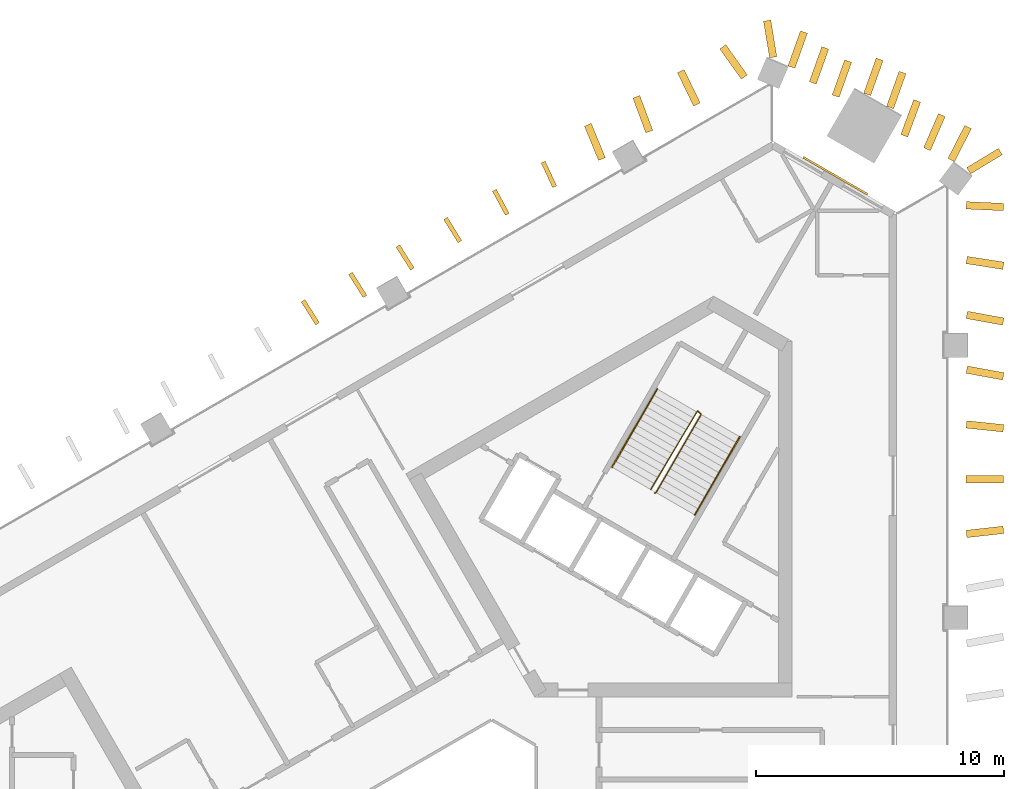
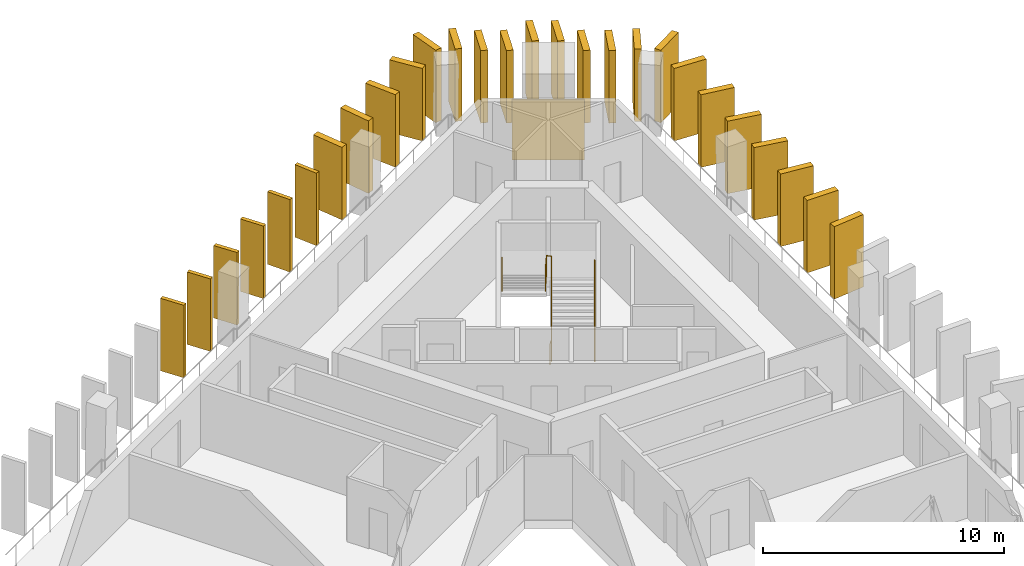
# One storey, part 10 of 10: 27 shading devices, 3 railings, 1 covering.
"""IFC4 building model written with IfcOpenShell, lengths in metres."""

from ifc_helpers import new_model, si_unit, direction, frame, frame_2d, origin, origin_2d, place, context, subcontext, project, spatial, rectangle, circle, extrude, material, layer, layer_set, type_object, element, save


model = new_model("IFC4")

# Units and contexts
model_context = context("Model", 3, precision=1e-05, world=origin(), true_north=direction((0.0, 1.0)))
body_context = subcontext(model_context, "Body", "Model", "MODEL_VIEW")
ifc_project = project(units=[si_unit("LENGTHUNIT", "METRE"), si_unit("AREAUNIT", "SQUARE_METRE"), si_unit("VOLUMEUNIT", "CUBIC_METRE"), si_unit("PLANEANGLEUNIT", "RADIAN"), si_unit("MASSUNIT", "GRAM", prefix="KILO")], contexts=[model_context])

# Site, building, storey
site_placement = place(None, origin())
site = spatial("IfcSite", under=ifc_project, at=site_placement, CompositionType="ELEMENT")
building_placement = place(site_placement, origin())
building = spatial("IfcBuilding", under=site, at=building_placement, Name="Jabali Bay Hotel Tower and Convention Centre", CompositionType="ELEMENT")
storey_placement = place(building_placement, frame((0.0, 0.0, 156.300048828125)))
storey = spatial("IfcBuildingStorey", under=building, at=storey_placement, Name="L37", CompositionType="ELEMENT", Elevation=156.300048828125)

# Shading devices
ifc_material_1 = material(Name="Precast concrete C60", Category="concrete")
ifc_layer_1 = layer(ifc_material_1, 0.179931640625)
ifc_layer_set_1 = layer_set([ifc_layer_1], Name="Precast concrete C60")
shading_device_type_1 = type_object("IfcShadingDeviceType", Name="Precast fin 3680 x 1100", PredefinedType="USERDEFINED", material=ifc_layer_set_1)
shading_device_1_placement = place(storey_placement, frame((80.30810546875, 108.36181640625, 0.010009765625), z_axis=(0.0, 0.0, 1.0), x_axis=(-0.421730749716, 0.906721111889, 0.0)))
element("IfcShadingDevice", 1, at=shading_device_1_placement, inside=storey, type_object=shading_device_type_1, Name="Fin L37 038", ObjectType="FIN", PredefinedType="USERDEFINED", context=body_context, shape_type="SweptSolid", body=[
    extrude(rectangle(XDim=1.099853515625, YDim=0.179931640625, at=frame_2d((0.5498046875, 0.0))), origin(), (0.0, 0.0, 1.0), 3.679931640625),
])
for number, where, z_axis, x_axis, name in (
    (2, (78.397705078125, 107.2529296875, 0.010009765625), (0.0, 0.0, 1.0), (-0.473821877124, 0.880620706524, 0.0), "Fin L37 039"),
    (3, (76.484619140625, 106.14794921875, 0.010009765625), (0.0, 0.0, 1.0), (-0.523701173986, 0.851902036836, 0.0), "Fin L37 040"),
):
    element("IfcShadingDevice", number, at=place(storey_placement, frame(where, z_axis=z_axis, x_axis=x_axis)), inside=storey, type_object=shading_device_type_1, Name=name, ObjectType="FIN", PredefinedType="USERDEFINED", context=body_context, shape_type="SweptSolid", body=[
        extrude(rectangle(XDim=1.10009765625, YDim=0.179931640625, at=frame_2d((0.550048828125, 0.0))), origin(), (0.0, 0.0, 1.0), 3.679931640625),
    ])
for number, where, z_axis, x_axis, name in (
    (4, (74.57080078125, 105.04443359375, 0.010009765625), (0.0, 0.0, 1.0), (-0.53336652604, 0.845884240839, 0.0), "Fin L37 041"),
    (5, (72.65771484375, 103.939697265625, 0.010009765625), (0.0, 0.0, 1.0), (-0.532271549044, 0.846573681423, 0.0), "Fin L37 042"),
    (6, (70.744384765625, 102.8349609375, 0.010009765625), (0.0, 0.0, 1.0), (-0.531594117785, 0.846999229006, 0.0), "Fin L37 043"),
):
    element("IfcShadingDevice", number, at=place(storey_placement, frame(where, z_axis=z_axis, x_axis=x_axis)), inside=storey, type_object=shading_device_type_1, Name=name, ObjectType="FIN", PredefinedType="USERDEFINED", context=body_context, shape_type="SweptSolid", body=[
        extrude(rectangle(XDim=1.099853515625, YDim=0.179931640625, at=frame_2d((0.5498046875, 0.0))), origin(), (0.0, 0.0, 1.0), 3.679931640625),
    ])
ifc_layer_2 = layer(ifc_material_1, 0.300048828125)
ifc_layer_set_2 = layer_set([ifc_layer_2], Name="Precast concrete C60")
shading_device_type_2 = type_object("IfcShadingDeviceType", Name="Precast fin 3680 x 1500", PredefinedType="USERDEFINED", material=ifc_layer_set_2)
for number, where, z_axis, x_axis, name in (
    (7, (96.916748046875, 94.359619140625, 0.010009765625), (0.0, 0.0, 1.0), (0.993784092283, 0.111324651019, 0.0), "Fin L37 019"),
    (8, (96.900634765625, 96.56884765625, 0.010009765625), (0.0, 0.0, 1.0), (0.999992993217, 0.003743463354, 0.0), "Fin L37 020"),
    (9, (96.915771484375, 98.778076171875, 0.010009765625), (0.0, 0.0, 1.0), (0.994457188873, -0.105142282162, 0.0), "Fin L37 021"),
    (10, (96.92724609375, 100.9873046875, 0.010009765625), (0.0, 0.0, 1.0), (0.98351646372, -0.180818598576, 0.0), "Fin L37 022"),
    (11, (96.92724609375, 103.1962890625, 0.010009765625), (0.0, 0.0, 1.0), (0.983545395653, -0.180661159883, 0.0), "Fin L37 023"),
    (12, (96.923095703125, 105.405517578125, 0.010009765625), (0.0, 0.0, 1.0), (0.988326493032, -0.152350724222, 0.0), "Fin L37 024"),
    (13, (96.9072265625, 107.61474609375, 0.010009765625), (0.0, 0.0, 1.0), (0.998900674942, -0.046876877038, 0.0), "Fin L37 025"),
    (14, (96.2998046875, 109.4375, 0.010009765625), (0.0, 0.0, 1.0), (0.455268788248, 0.890354047807, 0.0), "Fin L37 026"),
):
    element("IfcShadingDevice", number, at=place(storey_placement, frame(where, z_axis=z_axis, x_axis=x_axis)), inside=storey, type_object=shading_device_type_2, Name=name, ObjectType="FIN", PredefinedType="USERDEFINED", context=body_context, shape_type="SweptSolid", body=[
        extrude(rectangle(XDim=1.5, YDim=0.300048828125, at=frame_2d((0.75, 0.0))), origin(), (0.0, 0.0, 1.0), 3.679931640625),
    ])
shading_device_2_placement = place(storey_placement, frame((95.3251953125, 109.879150390625, 0.010009765625), z_axis=(0.0, 0.0, 1.0), x_axis=(0.398392838796, 0.917214885398, 0.0)))
element("IfcShadingDevice", 15, at=shading_device_2_placement, inside=storey, type_object=shading_device_type_2, Name="Fin L37 027", ObjectType="FIN", PredefinedType="USERDEFINED", context=body_context, shape_type="SweptSolid", body=[
    extrude(rectangle(XDim=1.500244140625, YDim=0.300048828125, at=frame_2d((0.75, 0.0))), origin(), (0.0, 0.0, 1.0), 3.679931640625),
])
for number, where, z_axis, x_axis, name in (
    (16, (94.406982421875, 110.4189453125, 0.010009765625), (0.0, 0.0, 1.0), (0.346678158395, 0.937984144051, 0.0), "Fin L37 028"),
    (17, (93.835205078125, 111.55859375, 0.010009765625), (0.0, 0.0, 1.0), (0.335305076677, 0.942109603791, 0.0), "Fin L37 029"),
):
    element("IfcShadingDevice", number, at=place(storey_placement, frame(where, z_axis=z_axis, x_axis=x_axis)), inside=storey, type_object=shading_device_type_2, Name=name, ObjectType="FIN", PredefinedType="USERDEFINED", context=body_context, shape_type="SweptSolid", body=[
        extrude(rectangle(XDim=1.5, YDim=0.300048828125, at=frame_2d((0.75, 0.0))), origin(), (0.0, 0.0, 1.0), 3.679931640625),
    ])
for number, where, z_axis, x_axis, name in (
    (18, (92.912841796875, 112.091064453125, 0.010009765625), (0.0, 0.0, 1.0), (0.335253666146, 0.94212789967, 0.0), "Fin L37 030"),
    (19, (91.640869140625, 112.017822265625, 0.010009765625), (0.0, 0.0, 1.0), (0.335253666146, 0.94212789967, 0.0), "Fin L37 031"),
):
    element("IfcShadingDevice", number, at=place(storey_placement, frame(where, z_axis=z_axis, x_axis=x_axis)), inside=storey, type_object=shading_device_type_2, Name=name, ObjectType="FIN", PredefinedType="USERDEFINED", context=body_context, shape_type="SweptSolid", body=[
        extrude(rectangle(XDim=1.500244140625, YDim=0.300048828125, at=frame_2d((0.75, 0.0))), origin(), (0.0, 0.0, 1.0), 3.679931640625),
    ])
for number, where, z_axis, x_axis, name in (
    (20, (90.718505859375, 112.550537109375, 0.010009765625), (0.0, 0.0, 1.0), (0.335305076677, 0.942109603791, 0.0), "Fin L37 032"),
    (21, (89.8583984375, 113.1904296875, 0.010009765625), (0.0, 0.0, 1.0), (0.335109201498, 0.942179294546, 0.0), "Fin L37 033"),
):
    element("IfcShadingDevice", number, at=place(storey_placement, frame(where, z_axis=z_axis, x_axis=x_axis)), inside=storey, type_object=shading_device_type_2, Name=name, ObjectType="FIN", PredefinedType="USERDEFINED", context=body_context, shape_type="SweptSolid", body=[
        extrude(rectangle(XDim=1.5, YDim=0.300048828125, at=frame_2d((0.75, 0.0))), origin(), (0.0, 0.0, 1.0), 3.679931640625),
    ])
shading_device_3_placement = place(storey_placement, frame((87.9580078125, 112.78564453125, 0.010009765625), z_axis=(0.0, 0.0, 1.0), x_axis=(-0.579682299442, 0.81484258094, 0.0)))
element("IfcShadingDevice", 22, at=shading_device_3_placement, inside=storey, type_object=shading_device_type_2, Name="Fin L37 034", ObjectType="FIN", PredefinedType="USERDEFINED", context=body_context, shape_type="SweptSolid", body=[
    extrude(rectangle(XDim=1.500244140625, YDim=0.300048828125, at=frame_2d((0.75, 0.0))), origin(), (0.0, 0.0, 1.0), 3.679931640625),
])
shading_device_4_placement = place(storey_placement, frame((86.04638671875, 111.67822265625, 0.010009765625), z_axis=(0.0, 0.0, 1.0), x_axis=(-0.436569023838, 0.899670766128, 0.0)))
element("IfcShadingDevice", 23, at=shading_device_4_placement, inside=storey, type_object=shading_device_type_2, Name="Fin L37 035", ObjectType="FIN", PredefinedType="USERDEFINED", context=body_context, shape_type="SweptSolid", body=[
    extrude(rectangle(XDim=1.499755859375, YDim=0.300048828125, at=frame_2d((0.75, 0.0))), origin(), (0.0, 0.0, 1.0), 3.679931640625),
])
for number, where, z_axis, x_axis, name in (
    (24, (84.126220703125, 110.585693359375, 0.010009765625), (0.0, 0.0, 1.0), (-0.350249315191, 0.936656509724, 0.0), "Fin L37 036"),
    (25, (82.21533203125, 109.47705078125, 0.010009765625), (0.0, 0.0, 1.0), (-0.379570645192, 0.925162756119, 0.0), "Fin L37 037"),
    (26, (97.00048828125, 109.00830078125, 0.010009765625), (0.0, 0.0, 1.0), (0.85661564092, 0.515955079179, 0.0), "Fin L37 103"),
    (27, (89.12158203125, 113.58349609375, 0.010009765625), (0.0, 0.0, 1.0), (-0.162762339709, 0.986665303318, 0.0), "Fin L37 104"),
):
    element("IfcShadingDevice", number, at=place(storey_placement, frame(where, z_axis=z_axis, x_axis=x_axis)), inside=storey, type_object=shading_device_type_2, Name=name, ObjectType="FIN", PredefinedType="USERDEFINED", context=body_context, shape_type="SweptSolid", body=[
        extrude(rectangle(XDim=1.5, YDim=0.300048828125, at=frame_2d((0.75, 0.0))), origin(), (0.0, 0.0, 1.0), 3.679931640625),
    ])

# Covering
ifc_material_2 = material(Name="Precast concrete C40/50", Category="concrete")
ifc_layer_3 = layer(ifc_material_2, 0.080078125)
ifc_layer_set_3 = layer_set([ifc_layer_3], Name="Precast concrete C40/50")
covering_type = type_object("IfcCoveringType", Name="Relief panel 3000 x 3050", PredefinedType="CLADDING", material=ifc_layer_set_3)
covering_placement = place(storey_placement, frame((91.630859375, 108.805419921875, 0.10009765625), z_axis=(0.0, 0.0, 1.0), x_axis=(0.866025333692, -0.500000121404, 0.0)))
element("IfcCovering", 28, at=covering_placement, inside=storey, type_object=covering_type, Name="Relief panel L37", PredefinedType="CLADDING", context=body_context, shape_type="SweptSolid", body=[
    extrude(rectangle(XDim=3.0, YDim=0.080078125, at=origin_2d()), origin(), (0.0, 0.0, 1.0), 3.050048828125),
])

# Railings
ifc_material_3 = material(Name="Steel Q355B", Category="steel")
railing_type_1 = type_object("IfcRailingType", Name="Stair guard 1100", PredefinedType="GUARDRAIL", material=ifc_material_3)
railing_1_placement = place(storey_placement, frame((84.329833984375, 96.010009765625, 0.0)))
element("IfcRailing", 29, at=railing_1_placement, inside=storey, type_object=railing_type_1, Name="L37 ST2 stair guard 1", PredefinedType="GUARDRAIL", context=body_context, shape_type="SweptSolid", body=[
    extrude(circle(Radius=0.02392578125, at=origin_2d()), frame((0.0, 0.0, 1.076171875), z_axis=(0.456201556387, 0.122196845461, 0.881446578591), x_axis=(-0.258736085224, 0.965948051503, 0.0)), (0.0, 0.0, 1.0), 0.14990234375),
    extrude(circle(Radius=0.02392578125, at=origin_2d()), frame((0.068359375, 0.018310546875, 1.2080078125), z_axis=(0.452190331055, 0.783190014029, 0.426775475427), x_axis=(-0.866018046521, 0.500012742938, 0.0)), (0.0, 0.0, 1.0), 4.02490234375),
    extrude(circle(Radius=0.02392578125, at=origin_2d()), frame((1.888427734375, 3.170654296875, 2.92578125), z_axis=(-0.718850276695, 0.695164929852, 0.0), x_axis=(-0.695164929852, -0.718850276695, 0.0)), (0.0, 0.0, 1.0), 0.2060546875),
    extrude(circle(Radius=0.02392578125, at=origin_2d()), frame((1.740234375, 3.31396484375, 2.92578125), z_axis=(-0.457445338502, -0.768046879266, 0.448160410493), x_axis=(0.859157857954, -0.511710636118, 0.0)), (0.0, 0.0, 1.0), 4.128173828125),
    extrude(circle(Radius=0.02099609375, at=origin_2d()), origin(), (0.0, 0.0, 1.0), 1.052001953125),
    extrude(circle(Radius=0.02099609375, at=origin_2d()), frame((0.068359375, 0.018310546875, 0.132080078125)), (0.0, 0.0, 1.0), 1.052001953125),
    extrude(circle(Radius=0.02099609375, at=origin_2d()), frame((0.5234375, 0.806396484375, 0.5615234375)), (0.0, 0.0, 1.0), 1.052001953125),
    extrude(circle(Radius=0.02099609375, at=origin_2d()), frame((0.978515625, 1.594482421875, 0.990966796875)), (0.0, 0.0, 1.0), 1.052001953125),
    extrude(circle(Radius=0.02099609375, at=origin_2d()), frame((1.433349609375, 2.382568359375, 1.42041015625)), (0.0, 0.0, 1.0), 1.052001953125),
    extrude(circle(Radius=0.02099609375, at=origin_2d()), frame((1.888427734375, 3.170654296875, 1.849853515625)), (0.0, 0.0, 1.0), 1.052001953125),
    extrude(circle(Radius=0.02099609375, at=origin_2d()), frame((1.740234375, 3.31396484375, 1.849853515625)), (0.0, 0.0, 1.0), 1.052001953125),
    extrude(circle(Radius=0.02099609375, at=origin_2d()), frame((1.26806640625, 2.521240234375, 2.3125)), (0.0, 0.0, 1.0), 1.052001953125),
    extrude(circle(Radius=0.02099609375, at=origin_2d()), frame((0.7958984375, 1.728515625, 2.77490234375)), (0.0, 0.0, 1.0), 1.052001953125),
    extrude(circle(Radius=0.02099609375, at=origin_2d()), frame((0.323974609375, 0.93603515625, 3.2373046875)), (0.0, 0.0, 1.0), 1.052001953125),
    extrude(circle(Radius=0.02099609375, at=origin_2d()), frame((-0.148193359375, 0.143310546875, 3.699951171875)), (0.0, 0.0, 1.0), 1.052001953125),
])
railing_type_2 = type_object("IfcRailingType", Name="Stair handrail 900", PredefinedType="HANDRAIL", material=ifc_material_3)
railing_2_placement = place(storey_placement, frame((85.95703125, 95.128173828125, 0.132080078125)))
element("IfcRailing", 30, at=railing_2_placement, inside=storey, type_object=railing_type_2, Name="L37 ST2 stair handrail 1", PredefinedType="HANDRAIL", context=body_context, shape_type="SweptSolid", body=[
    extrude(circle(Radius=0.02392578125, at=origin_2d()), frame((0.0, 0.0, 0.8759765625), z_axis=(0.452190331055, 0.783190014029, 0.426775475427), x_axis=(-0.866018046521, 0.500012742938, 0.0)), (0.0, 0.0, 1.0), 4.02490234375),
    extrude(circle(Radius=0.02099609375, at=origin_2d()), origin(), (0.0, 0.0, 1.0), 0.851806640625),
    extrude(circle(Radius=0.02099609375, at=origin_2d()), frame((0.455078125, 0.7880859375, 0.429443359375)), (0.0, 0.0, 1.0), 0.851806640625),
    extrude(circle(Radius=0.02099609375, at=origin_2d()), frame((0.91015625, 1.576171875, 0.85888671875)), (0.0, 0.0, 1.0), 0.851806640625),
    extrude(circle(Radius=0.02099609375, at=origin_2d()), frame((1.364990234375, 2.3642578125, 1.288330078125)), (0.0, 0.0, 1.0), 0.851806640625),
    extrude(circle(Radius=0.02099609375, at=origin_2d()), frame((1.820068359375, 3.15234375, 1.7177734375)), (0.0, 0.0, 1.0), 0.851806640625),
])
railing_3_placement = place(storey_placement, frame((84.44287109375, 100.20556640625, 1.982177734375)))
element("IfcRailing", 31, at=railing_3_placement, inside=storey, type_object=railing_type_2, Name="L37 ST2 stair handrail 2", PredefinedType="HANDRAIL", context=body_context, shape_type="SweptSolid", body=[
    extrude(circle(Radius=0.02392578125, at=origin_2d()), frame((0.0, 0.0, 0.8759765625), z_axis=(-0.452190331055, -0.783190014029, 0.426775475427), x_axis=(0.866018046521, -0.500012742938, 0.0)), (0.0, 0.0, 1.0), 4.02490234375),
    extrude(circle(Radius=0.02099609375, at=origin_2d()), origin(), (0.0, 0.0, 1.0), 0.851806640625),
    extrude(circle(Radius=0.02099609375, at=origin_2d()), frame((-0.455078125, -0.7880859375, 0.429443359375)), (0.0, 0.0, 1.0), 0.851806640625),
    extrude(circle(Radius=0.02099609375, at=origin_2d()), frame((-0.91015625, -1.576171875, 0.85888671875)), (0.0, 0.0, 1.0), 0.851806640625),
    extrude(circle(Radius=0.02099609375, at=origin_2d()), frame((-1.364990234375, -2.3642578125, 1.288330078125)), (0.0, 0.0, 1.0), 0.851806640625),
    extrude(circle(Radius=0.02099609375, at=origin_2d()), frame((-1.820068359375, -3.15234375, 1.7177734375)), (0.0, 0.0, 1.0), 0.851806640625),
])

save(model, "model.ifc")
